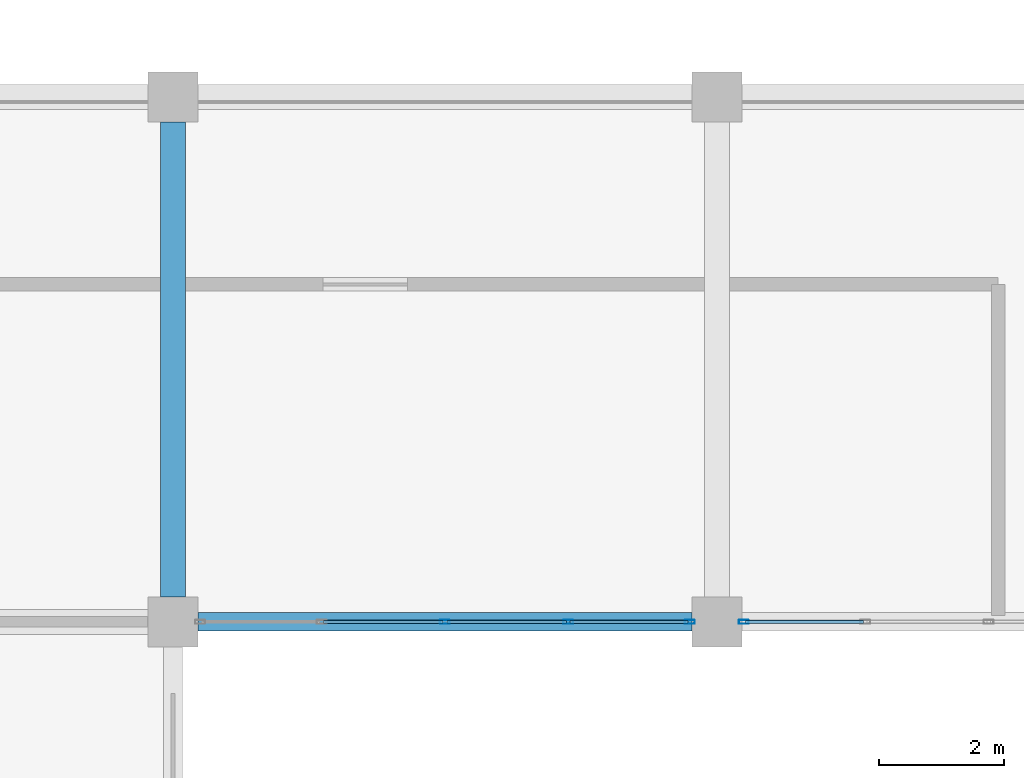
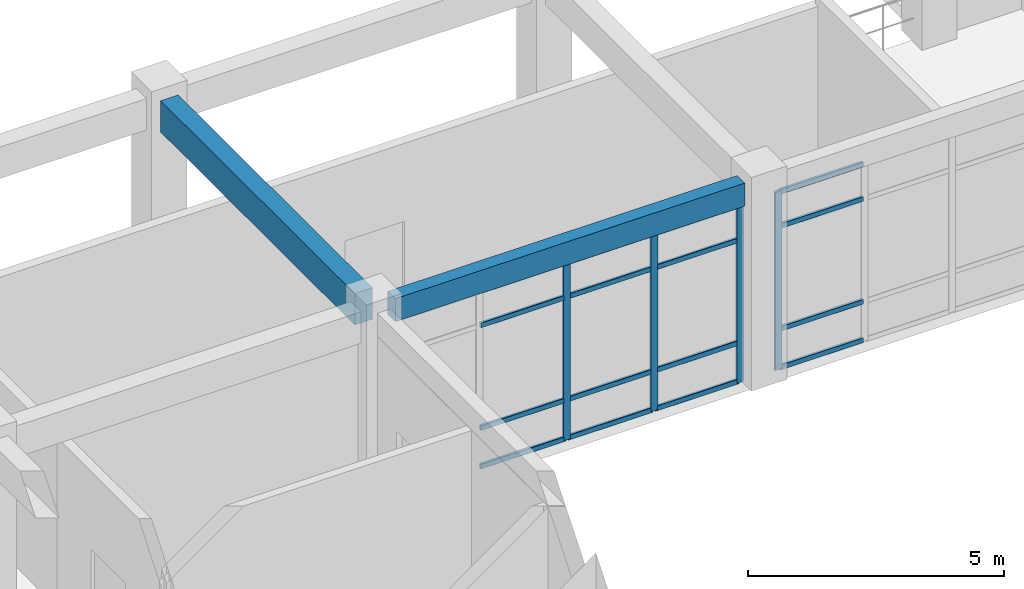
# One storey, part 36 of 96: 20 members, 2 beams, 2 elements without a shape of their own.
"""IFC4 building model written with IfcOpenShell, lengths in metres."""

from ifc_helpers import new_model, si_unit, derived_unit, direction, frame, origin, origin_2d, place, context, subcontext, project, spatial, rectangle, hollow_rectangle, extrude, material, layer, layer_set, material_profile, profile_set, type_object, element, aggregate, save


model = new_model("IFC4")

# Units and contexts
model_context = context("Model", 3, precision=1e-05, world=origin(), true_north=direction((0.0, 1.0)))
body_context = subcontext(model_context, "Body", "Model", "MODEL_VIEW")
ifc_project = project(units=[si_unit("LENGTHUNIT", "METRE"), si_unit("AREAUNIT", "SQUARE_METRE"), si_unit("VOLUMEUNIT", "CUBIC_METRE"), si_unit("PLANEANGLEUNIT", "RADIAN"), si_unit("MASSUNIT", "GRAM", prefix="KILO"), derived_unit("THERMALTRANSMITTANCEUNIT", [(si_unit("MASSUNIT", "GRAM", prefix="KILO"), 1), (si_unit("TIMEUNIT", "SECOND"), -3), (si_unit("THERMODYNAMICTEMPERATUREUNIT", "KELVIN"), -1)])], contexts=[model_context])

# Site, building, storey
site_placement = place(None, origin())
site = spatial("IfcSite", under=ifc_project, at=site_placement, CompositionType="ELEMENT")
building_placement = place(site_placement, origin())
building = spatial("IfcBuilding", under=site, at=building_placement, Name="Qinzheling Arcade Emporium", CompositionType="ELEMENT")
storey_placement = place(building_placement, frame((0.0, 0.0, 21.60009765625)))
storey = spatial("IfcBuildingStorey", under=building, at=storey_placement, Name="L05", CompositionType="ELEMENT", Elevation=21.60009765625)

# Curtain wall, member
ifc_material_1 = material(Name="Anodised aluminium and solar-control double glazing", Category="aluminium")
ifc_layer = layer(ifc_material_1, 0.159912109375, Name="Anodised aluminium and solar-control double glazing", Category="aluminium")
ifc_layer_set = layer_set([ifc_layer], Name="Anodised aluminium and solar-control double glazing")
curtain_wall_type = type_object("IfcCurtainWallType", Name="Atrium Clerestory Curtain Wall", PredefinedType="NOTDEFINED", material=ifc_layer_set)
curtain_wall_1_placement = place(storey_placement, origin())
curtain_wall_1 = element("IfcCurtainWall", 1, at=curtain_wall_1_placement, inside=storey, type_object=curtain_wall_type, Name="Curtain Wall CW-L05-331", PredefinedType="NOTDEFINED")
ifc_material_2 = material(Name="Anodised aluminium 6063-T6", Category="aluminium")
ifc_material_profile_1 = material_profile(ifc_material_2, hollow_rectangle(XDim=0.06005859375, YDim=0.159912109375, WallThickness=0.00390625, InnerFilletRadius=0.00390625, OuterFilletRadius=0.008056640625, at=origin_2d()), Name="RHS 160x60x4", Category="aluminium")
ifc_profile_set_1 = profile_set([ifc_material_profile_1], Name="Anodised aluminium 6063-T6")
member_type_1 = type_object("IfcMemberType", Name="Curtain Wall Mullion RHS160x60", PredefinedType="MULLION", material=ifc_profile_set_1)
member_1_placement = place(storey_placement, frame((78.73193359375, 42.0, 0.0), z_axis=(0.0, 0.0, 1.0), x_axis=(0.0, -1.0, 0.0)))
member_1 = element("IfcMember", 2, at=member_1_placement, type_object=member_type_1, Name="CW03 mullion 5", PredefinedType="MULLION", context=body_context, shape_type="SweptSolid", body=[
    extrude(hollow_rectangle(XDim=0.06005859375, YDim=0.159912109375, WallThickness=0.00390625, InnerFilletRadius=0.00390625, OuterFilletRadius=0.008056640625, at=origin_2d()), origin(), (0.0, 0.0, 1.0), 4.2548828125),
])

# Curtain wall, members
curtain_wall_2_placement = place(storey_placement, origin())
curtain_wall_2 = element("IfcCurtainWall", 3, at=curtain_wall_2_placement, inside=storey, type_object=curtain_wall_type, Name="Curtain Wall CW-L05-332", PredefinedType="NOTDEFINED")
member_2_placement = place(storey_placement, frame((77.867919921875, 42.0, 0.0), z_axis=(0.0, 0.0, 1.0), x_axis=(0.0, -1.0, 0.0)))
member_2 = element("IfcMember", 4, at=member_2_placement, type_object=member_type_1, Name="CW03 mullion 1", PredefinedType="MULLION", context=body_context, shape_type="SweptSolid", body=[
    extrude(hollow_rectangle(XDim=0.06005859375, YDim=0.159912109375, WallThickness=0.00390625, InnerFilletRadius=0.00390625, OuterFilletRadius=0.008056640625, at=origin_2d()), origin(), (0.0, 0.0, 1.0), 4.2548828125),
])
member_3_placement = place(storey_placement, frame((75.924072265625, 42.0, 0.0), z_axis=(0.0, 0.0, 1.0), x_axis=(0.0, -1.0, 0.0)))
member_3 = element("IfcMember", 5, at=member_3_placement, type_object=member_type_1, Name="CW03 mullion 2", PredefinedType="MULLION", context=body_context, shape_type="SweptSolid", body=[
    extrude(hollow_rectangle(XDim=0.06005859375, YDim=0.159912109375, WallThickness=0.00390625, InnerFilletRadius=0.00390625, OuterFilletRadius=0.008056640625, at=origin_2d()), origin(), (0.0, 0.0, 1.0), 4.2548828125),
])
member_4_placement = place(storey_placement, frame((73.949951171875, 42.0, 0.0), z_axis=(0.0, 0.0, 1.0), x_axis=(0.0, -1.0, 0.0)))
member_4 = element("IfcMember", 6, at=member_4_placement, type_object=member_type_1, Name="CW03 mullion 3", PredefinedType="MULLION", context=body_context, shape_type="SweptSolid", body=[
    extrude(hollow_rectangle(XDim=0.06005859375, YDim=0.159912109375, WallThickness=0.00390625, InnerFilletRadius=0.00390625, OuterFilletRadius=0.008056640625, at=origin_2d()), origin(), (0.0, 0.0, 1.0), 4.2548828125),
])

# Member
ifc_material_profile_2 = material_profile(ifc_material_2, hollow_rectangle(XDim=0.06005859375, YDim=0.1201171875, WallThickness=0.00390625, InnerFilletRadius=0.00390625, OuterFilletRadius=0.008056640625, at=origin_2d()), Name="RHS 120x60x4", Category="aluminium")
ifc_profile_set_2 = profile_set([ifc_material_profile_2], Name="Anodised aluminium 6063-T6")
member_type_2 = type_object("IfcMemberType", Name="Curtain Wall Transom RHS120x60", PredefinedType="USERDEFINED", material=ifc_profile_set_2)
member_5_placement = place(storey_placement, frame((80.64599609375, 42.0, 0.02978515625), z_axis=(-1.0, 0.0, 0.0), x_axis=(0.0, -1.0, 0.0)))
member_5 = element("IfcMember", 7, at=member_5_placement, type_object=member_type_2, Name="CW03 transom 4.1", ObjectType="TRANSOM", PredefinedType="USERDEFINED", context=body_context, shape_type="SweptSolid", body=[
    extrude(hollow_rectangle(XDim=0.06005859375, YDim=0.1201171875, WallThickness=0.00390625, InnerFilletRadius=0.00390625, OuterFilletRadius=0.008056640625, at=origin_2d()), origin(), (0.0, 0.0, 1.0), 1.884033203125),
])

member_6_placement = place(storey_placement, frame((80.64599609375, 42.0, 0.949951171875), z_axis=(-1.0, 0.0, 0.0), x_axis=(0.0, -1.0, 0.0)))
member_6 = element("IfcMember", 8, at=member_6_placement, type_object=member_type_2, Name="CW03 transom 4.2", ObjectType="TRANSOM", PredefinedType="USERDEFINED", context=body_context, shape_type="SweptSolid", body=[
    extrude(hollow_rectangle(XDim=0.06005859375, YDim=0.1201171875, WallThickness=0.00390625, InnerFilletRadius=0.00390625, OuterFilletRadius=0.008056640625, at=origin_2d()), origin(), (0.0, 0.0, 1.0), 1.884033203125),
])

member_7_placement = place(storey_placement, frame((80.64599609375, 42.0, 3.40478515625), z_axis=(-1.0, 0.0, 0.0), x_axis=(0.0, -1.0, 0.0)))
member_7 = element("IfcMember", 9, at=member_7_placement, type_object=member_type_2, Name="CW03 transom 4.3", ObjectType="TRANSOM", PredefinedType="USERDEFINED", context=body_context, shape_type="SweptSolid", body=[
    extrude(hollow_rectangle(XDim=0.06005859375, YDim=0.1201171875, WallThickness=0.00390625, InnerFilletRadius=0.00390625, OuterFilletRadius=0.008056640625, at=origin_2d()), origin(), (0.0, 0.0, 1.0), 1.884033203125),
])

member_8_placement = place(storey_placement, frame((80.64599609375, 42.0, 4.224853515625), z_axis=(-1.0, 0.0, 0.0), x_axis=(0.0, -1.0, 0.0)))
member_8 = element("IfcMember", 10, at=member_8_placement, type_object=member_type_2, Name="CW03 transom 4.4", ObjectType="TRANSOM", PredefinedType="USERDEFINED", context=body_context, shape_type="SweptSolid", body=[
    extrude(hollow_rectangle(XDim=0.06005859375, YDim=0.1201171875, WallThickness=0.00390625, InnerFilletRadius=0.00390625, OuterFilletRadius=0.008056640625, at=origin_2d()), origin(), (0.0, 0.0, 1.0), 1.884033203125),
])

aggregate(curtain_wall_1, [member_1, member_5, member_6, member_7, member_8])

member_9_placement = place(storey_placement, frame((77.837890625, 42.0, 0.02978515625), z_axis=(-1.0, 0.0, 0.0), x_axis=(0.0, -1.0, 0.0)))
member_9 = element("IfcMember", 11, at=member_9_placement, type_object=member_type_2, Name="CW03 transom 1.1", ObjectType="TRANSOM", PredefinedType="USERDEFINED", context=body_context, shape_type="SweptSolid", body=[
    extrude(hollow_rectangle(XDim=0.06005859375, YDim=0.1201171875, WallThickness=0.00390625, InnerFilletRadius=0.00390625, OuterFilletRadius=0.008056640625, at=origin_2d()), origin(), (0.0, 0.0, 1.0), 1.8837890625),
])

member_10_placement = place(storey_placement, frame((77.837890625, 42.0, 0.949951171875), z_axis=(-1.0, 0.0, 0.0), x_axis=(0.0, -1.0, 0.0)))
member_10 = element("IfcMember", 12, at=member_10_placement, type_object=member_type_2, Name="CW03 transom 1.2", ObjectType="TRANSOM", PredefinedType="USERDEFINED", context=body_context, shape_type="SweptSolid", body=[
    extrude(hollow_rectangle(XDim=0.06005859375, YDim=0.1201171875, WallThickness=0.00390625, InnerFilletRadius=0.00390625, OuterFilletRadius=0.008056640625, at=origin_2d()), origin(), (0.0, 0.0, 1.0), 1.8837890625),
])

member_11_placement = place(storey_placement, frame((77.837890625, 42.0, 3.40478515625), z_axis=(-1.0, 0.0, 0.0), x_axis=(0.0, -1.0, 0.0)))
member_11 = element("IfcMember", 13, at=member_11_placement, type_object=member_type_2, Name="CW03 transom 1.3", ObjectType="TRANSOM", PredefinedType="USERDEFINED", context=body_context, shape_type="SweptSolid", body=[
    extrude(hollow_rectangle(XDim=0.06005859375, YDim=0.1201171875, WallThickness=0.00390625, InnerFilletRadius=0.00390625, OuterFilletRadius=0.008056640625, at=origin_2d()), origin(), (0.0, 0.0, 1.0), 1.8837890625),
])

member_12_placement = place(storey_placement, frame((77.837890625, 42.0, 4.224853515625), z_axis=(-1.0, 0.0, 0.0), x_axis=(0.0, -1.0, 0.0)))
member_12 = element("IfcMember", 14, at=member_12_placement, type_object=member_type_2, Name="CW03 transom 1.4", ObjectType="TRANSOM", PredefinedType="USERDEFINED", context=body_context, shape_type="SweptSolid", body=[
    extrude(hollow_rectangle(XDim=0.06005859375, YDim=0.1201171875, WallThickness=0.00390625, InnerFilletRadius=0.00390625, OuterFilletRadius=0.008056640625, at=origin_2d()), origin(), (0.0, 0.0, 1.0), 1.8837890625),
])

member_13_placement = place(storey_placement, frame((75.89404296875, 42.0, 0.02978515625), z_axis=(-1.0, 0.0, 0.0), x_axis=(0.0, -1.0, 0.0)))
member_13 = element("IfcMember", 15, at=member_13_placement, type_object=member_type_2, Name="CW03 transom 2.1", ObjectType="TRANSOM", PredefinedType="USERDEFINED", context=body_context, shape_type="SweptSolid", body=[
    extrude(hollow_rectangle(XDim=0.06005859375, YDim=0.1201171875, WallThickness=0.00390625, InnerFilletRadius=0.00390625, OuterFilletRadius=0.008056640625, at=origin_2d()), origin(), (0.0, 0.0, 1.0), 1.9140625),
])

member_14_placement = place(storey_placement, frame((75.89404296875, 42.0, 0.949951171875), z_axis=(-1.0, 0.0, 0.0), x_axis=(0.0, -1.0, 0.0)))
member_14 = element("IfcMember", 16, at=member_14_placement, type_object=member_type_2, Name="CW03 transom 2.2", ObjectType="TRANSOM", PredefinedType="USERDEFINED", context=body_context, shape_type="SweptSolid", body=[
    extrude(hollow_rectangle(XDim=0.06005859375, YDim=0.1201171875, WallThickness=0.00390625, InnerFilletRadius=0.00390625, OuterFilletRadius=0.008056640625, at=origin_2d()), origin(), (0.0, 0.0, 1.0), 1.9140625),
])

member_15_placement = place(storey_placement, frame((75.89404296875, 42.0, 3.40478515625), z_axis=(-1.0, 0.0, 0.0), x_axis=(0.0, -1.0, 0.0)))
member_15 = element("IfcMember", 17, at=member_15_placement, type_object=member_type_2, Name="CW03 transom 2.3", ObjectType="TRANSOM", PredefinedType="USERDEFINED", context=body_context, shape_type="SweptSolid", body=[
    extrude(hollow_rectangle(XDim=0.06005859375, YDim=0.1201171875, WallThickness=0.00390625, InnerFilletRadius=0.00390625, OuterFilletRadius=0.008056640625, at=origin_2d()), origin(), (0.0, 0.0, 1.0), 1.9140625),
])

member_16_placement = place(storey_placement, frame((75.89404296875, 42.0, 4.224853515625), z_axis=(-1.0, 0.0, 0.0), x_axis=(0.0, -1.0, 0.0)))
member_16 = element("IfcMember", 18, at=member_16_placement, type_object=member_type_2, Name="CW03 transom 2.4", ObjectType="TRANSOM", PredefinedType="USERDEFINED", context=body_context, shape_type="SweptSolid", body=[
    extrude(hollow_rectangle(XDim=0.06005859375, YDim=0.1201171875, WallThickness=0.00390625, InnerFilletRadius=0.00390625, OuterFilletRadius=0.008056640625, at=origin_2d()), origin(), (0.0, 0.0, 1.0), 1.9140625),
])

member_17_placement = place(storey_placement, frame((73.919921875, 42.0, 0.02978515625), z_axis=(-1.0, 0.0, 0.0), x_axis=(0.0, -1.0, 0.0)))
member_17 = element("IfcMember", 19, at=member_17_placement, type_object=member_type_2, Name="CW03 transom 3.1", ObjectType="TRANSOM", PredefinedType="USERDEFINED", context=body_context, shape_type="SweptSolid", body=[
    extrude(hollow_rectangle(XDim=0.06005859375, YDim=0.1201171875, WallThickness=0.00390625, InnerFilletRadius=0.00390625, OuterFilletRadius=0.008056640625, at=origin_2d()), origin(), (0.0, 0.0, 1.0), 1.913818359375),
])

member_18_placement = place(storey_placement, frame((73.919921875, 42.0, 0.949951171875), z_axis=(-1.0, 0.0, 0.0), x_axis=(0.0, -1.0, 0.0)))
member_18 = element("IfcMember", 20, at=member_18_placement, type_object=member_type_2, Name="CW03 transom 3.2", ObjectType="TRANSOM", PredefinedType="USERDEFINED", context=body_context, shape_type="SweptSolid", body=[
    extrude(hollow_rectangle(XDim=0.06005859375, YDim=0.1201171875, WallThickness=0.00390625, InnerFilletRadius=0.00390625, OuterFilletRadius=0.008056640625, at=origin_2d()), origin(), (0.0, 0.0, 1.0), 1.913818359375),
])

member_19_placement = place(storey_placement, frame((73.919921875, 42.0, 3.40478515625), z_axis=(-1.0, 0.0, 0.0), x_axis=(0.0, -1.0, 0.0)))
member_19 = element("IfcMember", 21, at=member_19_placement, type_object=member_type_2, Name="CW03 transom 3.3", ObjectType="TRANSOM", PredefinedType="USERDEFINED", context=body_context, shape_type="SweptSolid", body=[
    extrude(hollow_rectangle(XDim=0.06005859375, YDim=0.1201171875, WallThickness=0.00390625, InnerFilletRadius=0.00390625, OuterFilletRadius=0.008056640625, at=origin_2d()), origin(), (0.0, 0.0, 1.0), 1.913818359375),
])

member_20_placement = place(storey_placement, frame((73.919921875, 42.0, 4.224853515625), z_axis=(-1.0, 0.0, 0.0), x_axis=(0.0, -1.0, 0.0)))
member_20 = element("IfcMember", 22, at=member_20_placement, type_object=member_type_2, Name="CW03 transom 3.4", ObjectType="TRANSOM", PredefinedType="USERDEFINED", context=body_context, shape_type="SweptSolid", body=[
    extrude(hollow_rectangle(XDim=0.06005859375, YDim=0.1201171875, WallThickness=0.00390625, InnerFilletRadius=0.00390625, OuterFilletRadius=0.008056640625, at=origin_2d()), origin(), (0.0, 0.0, 1.0), 1.913818359375),
])

aggregate(curtain_wall_2, [member_2, member_3, member_4, member_9, member_10, member_11, member_12, member_13, member_14, member_15, member_16, member_17, member_18, member_19, member_20])

# Beams
ifc_material_3 = material(Name="Concrete C40", Category="concrete")
ifc_material_profile_3 = material_profile(ifc_material_3, rectangle(XDim=0.39990234375, YDim=0.75, at=origin_2d()), Name="RC 400x750", Category="concrete")
ifc_profile_set_3 = profile_set([ifc_material_profile_3], Name="Concrete C40")
beam_type_1 = type_object("IfcBeamType", Name="RC Interior Tie Beam 400x750 C40", PredefinedType="BEAM", material=ifc_profile_set_3)
beam_1_placement = place(storey_placement, frame((69.60009765625, 42.39990234375, 4.44482421875), z_axis=(0.0, 1.0, 0.0), x_axis=(-1.0, 0.0, 0.0)))
element("IfcBeam", 23, at=beam_1_placement, inside=storey, type_object=beam_type_1, Name="Beam BM-L05-Y-9-F", PredefinedType="BEAM", context=body_context, shape_type="SweptSolid", body=[
    extrude(rectangle(XDim=0.39990234375, YDim=0.75, at=origin_2d()), origin(), (0.0, 0.0, 1.0), 7.60009765625),
])
ifc_material_profile_4 = material_profile(ifc_material_3, rectangle(XDim=0.300048828125, YDim=0.550048828125, at=origin_2d()), Name="RC 300x550", Category="concrete")
ifc_profile_set_4 = profile_set([ifc_material_profile_4], Name="Concrete C40")
beam_type_2 = type_object("IfcBeamType", Name="RC Terrace Spandrel Beam 300x550 C40", PredefinedType="SPANDREL", material=ifc_profile_set_4)
beam_2_placement = place(storey_placement, frame((70.0, 42.0, 4.544921875), z_axis=(1.0, 0.0, 0.0), x_axis=(0.0, 1.0, 0.0)))
element("IfcBeam", 24, at=beam_2_placement, inside=storey, type_object=beam_type_2, Name="Beam BM-L05-X-F-9", PredefinedType="SPANDREL", context=body_context, shape_type="SweptSolid", body=[
    extrude(rectangle(XDim=0.300048828125, YDim=0.550048828125, at=origin_2d()), origin(), (0.0, 0.0, 1.0), 7.89990234375),
])

save(model, "model.ifc")
